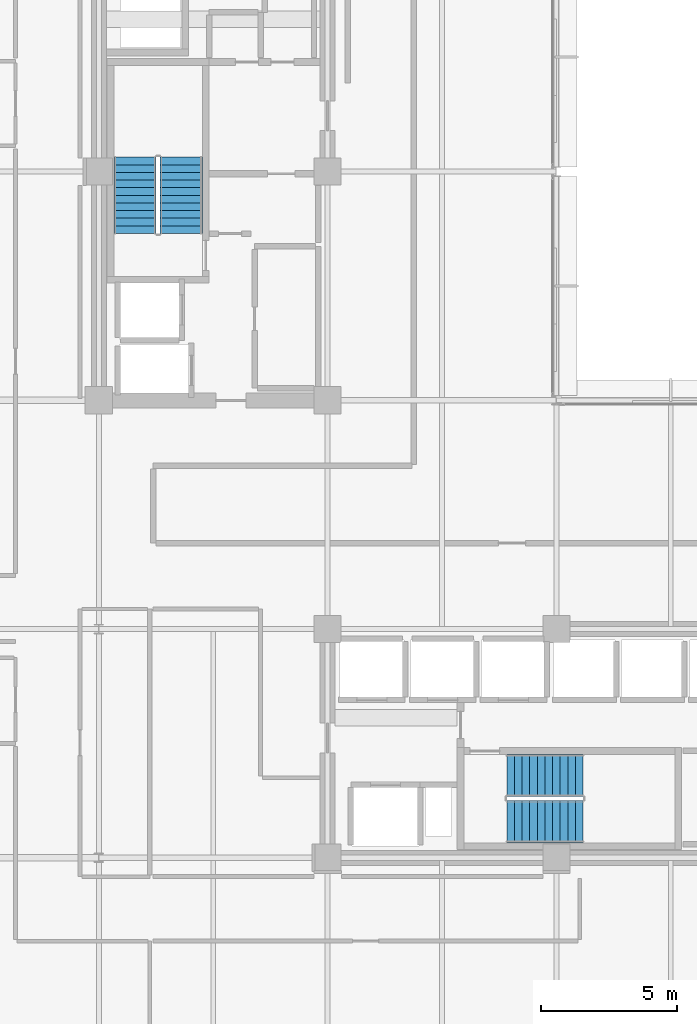
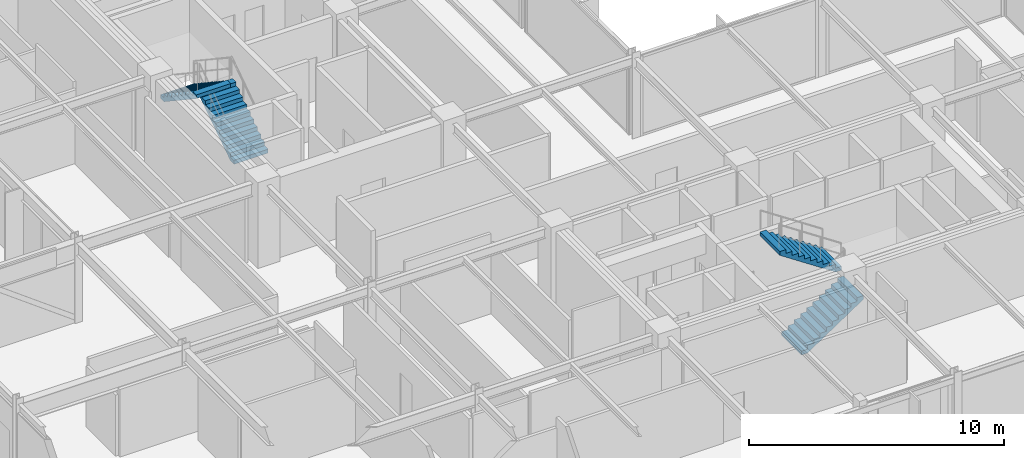
# One storey, part 27 of 30: 4 stair flights, 2 elements without a shape of their own.
"""IFC4 building model written with IfcOpenShell, lengths in metres."""

from ifc_helpers import new_model, si_unit, direction, frame, origin, place, context, subcontext, project, spatial, polyline, outline, extrude, material, type_object, element, aggregate, save


model = new_model("IFC4")

# Units and contexts
model_context = context("Model", 3, precision=1e-05, world=origin(), true_north=direction((0.0, 1.0)))
body_context = subcontext(model_context, "Body", "Model", "MODEL_VIEW")
ifc_project = project(units=[si_unit("LENGTHUNIT", "METRE"), si_unit("AREAUNIT", "SQUARE_METRE"), si_unit("VOLUMEUNIT", "CUBIC_METRE"), si_unit("PLANEANGLEUNIT", "RADIAN"), si_unit("MASSUNIT", "GRAM", prefix="KILO")], contexts=[model_context])

# Site, building, storey
site_placement = place(None, origin())
site = spatial("IfcSite", under=ifc_project, at=site_placement, CompositionType="ELEMENT")
building_placement = place(site_placement, origin())
building = spatial("IfcBuilding", under=site, at=building_placement, Name="Nerrivon Quay Data Exchange", CompositionType="ELEMENT")
storey_placement = place(building_placement, frame((0.0, 0.0, 171.39990234375)))
storey = spatial("IfcBuildingStorey", under=building, at=storey_placement, Name="L40", CompositionType="ELEMENT", Elevation=171.39990234375)

# Stair, stair flights
ifc_material = material(Name="Concrete N50 (50 MPa)", Category="concrete")
stair_type = type_object("IfcStairType", Name="STAIR-DOG-41", PredefinedType="HALF_TURN_STAIR", material=ifc_material)
stair_1_placement = place(storey_placement, origin())
stair_1 = element("IfcStair", 1, at=stair_1_placement, inside=storey, type_object=stair_type, Name="L40 West Core Fire Stair ST01", PredefinedType="HALF_TURN_STAIR")
stair_flight_type = type_object("IfcStairFlightType", Name="FLIGHT-DOG-41", PredefinedType="STRAIGHT", material=ifc_material)
stair_flight_1_placement = place(storey_placement, frame((11.425048828125, 31.330078125, 0.0), z_axis=(0.0, 0.0, 1.0), x_axis=(0.0, 1.0, 0.0)))
stair_flight_1 = element("IfcStairFlight", 2, at=stair_flight_1_placement, type_object=stair_flight_type, Name="ST01 flight 1", NumberOfRisers=11, NumberOfTreads=10, PredefinedType="STRAIGHT", RiserHeight=0.186363636, TreadLength=0.28, context=body_context, shape_type="SweptSolid", body=[
    extrude(outline(polyline([(0.0, 0.0), (0.0, 0.186279296875), (0.280029296875, 0.186279296875), (0.280029296875, 0.372802734375), (0.56005859375, 0.372802734375), (0.56005859375, 0.55908203125), (0.840087890625, 0.55908203125), (0.840087890625, 0.745361328125), (1.1201171875, 0.745361328125), (1.1201171875, 0.931884765625), (1.39990234375, 0.931884765625), (1.39990234375, 1.1181640625), (1.679931640625, 1.1181640625), (1.679931640625, 1.304443359375), (1.9599609375, 1.304443359375), (1.9599609375, 1.490966796875), (2.239990234375, 1.490966796875), (2.239990234375, 1.67724609375), (2.52001953125, 1.67724609375), (2.52001953125, 1.863525390625), (2.800048828125, 1.863525390625), (2.800048828125, 2.050048828125), (2.800048828125, 1.68359375), (0.2705078125, 0.0), (0.0, 0.0)])), frame((0.0, 0.77490234375, 0.0), z_axis=(0.0, -1.0, 0.0), x_axis=(1.0, 0.0, 0.0)), (0.0, 0.0, 1.0), 1.550048828125),
])
stair_flight_2_placement = place(storey_placement, frame((9.72509765625, 34.1298828125, 2.050048828125), z_axis=(0.0, 0.0, 1.0), x_axis=(0.0, -1.0, 0.0)))
stair_flight_2 = element("IfcStairFlight", 3, at=stair_flight_2_placement, type_object=stair_flight_type, Name="ST01 flight 2", NumberOfRisers=11, NumberOfTreads=10, PredefinedType="STRAIGHT", RiserHeight=0.186363636, TreadLength=0.28, context=body_context, shape_type="SweptSolid", body=[
    extrude(outline(polyline([(0.0, 0.0), (0.0, 0.186279296875), (0.280029296875, 0.186279296875), (0.280029296875, 0.372802734375), (0.56005859375, 0.372802734375), (0.56005859375, 0.55908203125), (0.840087890625, 0.55908203125), (0.840087890625, 0.745361328125), (1.1201171875, 0.745361328125), (1.1201171875, 0.931884765625), (1.39990234375, 0.931884765625), (1.39990234375, 1.1181640625), (1.679931640625, 1.1181640625), (1.679931640625, 1.304443359375), (1.9599609375, 1.304443359375), (1.9599609375, 1.490966796875), (2.239990234375, 1.490966796875), (2.239990234375, 1.67724609375), (2.52001953125, 1.67724609375), (2.52001953125, 1.863525390625), (2.800048828125, 1.863525390625), (2.800048828125, 2.050048828125), (2.800048828125, 1.68359375), (0.2705078125, 0.0), (0.0, 0.0)])), frame((0.0, 0.77490234375, 0.0), z_axis=(0.0, -1.0, 0.0), x_axis=(1.0, 0.0, 0.0)), (0.0, 0.0, 1.0), 1.550048828125),
])
aggregate(stair_1, [stair_flight_1, stair_flight_2])

stair_2_placement = place(storey_placement, origin())
stair_2 = element("IfcStair", 4, at=stair_2_placement, inside=storey, type_object=stair_type, Name="L40 East Core Fire Stair ST02", PredefinedType="HALF_TURN_STAIR")
stair_flight_3_placement = place(storey_placement, frame((23.3798828125, 9.72509765625, 0.0), z_axis=(0.0, 0.0, 1.0), x_axis=(1.0, 0.0, 0.0)))
stair_flight_3 = element("IfcStairFlight", 5, at=stair_flight_3_placement, type_object=stair_flight_type, Name="ST02 flight 1", NumberOfRisers=11, NumberOfTreads=10, PredefinedType="STRAIGHT", RiserHeight=0.186363636, TreadLength=0.28, context=body_context, shape_type="SweptSolid", body=[
    extrude(outline(polyline([(0.0, 0.0), (0.0, 0.186279296875), (0.280029296875, 0.186279296875), (0.280029296875, 0.372802734375), (0.56005859375, 0.372802734375), (0.56005859375, 0.55908203125), (0.840087890625, 0.55908203125), (0.840087890625, 0.745361328125), (1.1201171875, 0.745361328125), (1.1201171875, 0.931884765625), (1.39990234375, 0.931884765625), (1.39990234375, 1.1181640625), (1.679931640625, 1.1181640625), (1.679931640625, 1.304443359375), (1.9599609375, 1.304443359375), (1.9599609375, 1.490966796875), (2.239990234375, 1.490966796875), (2.239990234375, 1.67724609375), (2.52001953125, 1.67724609375), (2.52001953125, 1.863525390625), (2.800048828125, 1.863525390625), (2.800048828125, 2.050048828125), (2.800048828125, 1.68359375), (0.2705078125, 0.0), (0.0, 0.0)])), frame((0.0, 0.77490234375, 0.0), z_axis=(0.0, -1.0, 0.0), x_axis=(1.0, 0.0, 0.0)), (0.0, 0.0, 1.0), 1.550048828125),
])
stair_flight_4_placement = place(storey_placement, frame((26.179931640625, 11.425048828125, 2.050048828125), z_axis=(0.0, 0.0, 1.0), x_axis=(-1.0, 0.0, 0.0)))
stair_flight_4 = element("IfcStairFlight", 6, at=stair_flight_4_placement, type_object=stair_flight_type, Name="ST02 flight 2", NumberOfRisers=11, NumberOfTreads=10, PredefinedType="STRAIGHT", RiserHeight=0.186363636, TreadLength=0.28, context=body_context, shape_type="SweptSolid", body=[
    extrude(outline(polyline([(0.0, 0.0), (0.0, 0.186279296875), (0.280029296875, 0.186279296875), (0.280029296875, 0.372802734375), (0.56005859375, 0.372802734375), (0.56005859375, 0.55908203125), (0.840087890625, 0.55908203125), (0.840087890625, 0.745361328125), (1.1201171875, 0.745361328125), (1.1201171875, 0.931884765625), (1.39990234375, 0.931884765625), (1.39990234375, 1.1181640625), (1.679931640625, 1.1181640625), (1.679931640625, 1.304443359375), (1.9599609375, 1.304443359375), (1.9599609375, 1.490966796875), (2.239990234375, 1.490966796875), (2.239990234375, 1.67724609375), (2.52001953125, 1.67724609375), (2.52001953125, 1.863525390625), (2.800048828125, 1.863525390625), (2.800048828125, 2.050048828125), (2.800048828125, 1.68359375), (0.2705078125, 0.0), (0.0, 0.0)])), frame((0.0, 0.77490234375, 0.0), z_axis=(0.0, -1.0, 0.0), x_axis=(1.0, 0.0, 0.0)), (0.0, 0.0, 1.0), 1.550048828125),
])
aggregate(stair_2, [stair_flight_3, stair_flight_4])

save(model, "model.ifc")
